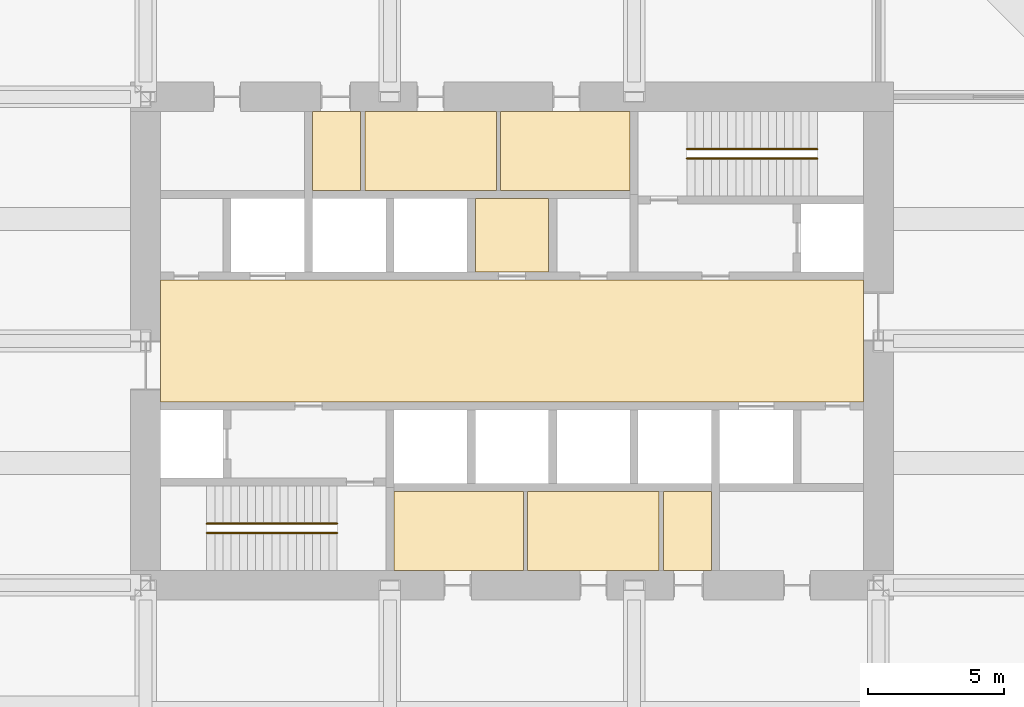
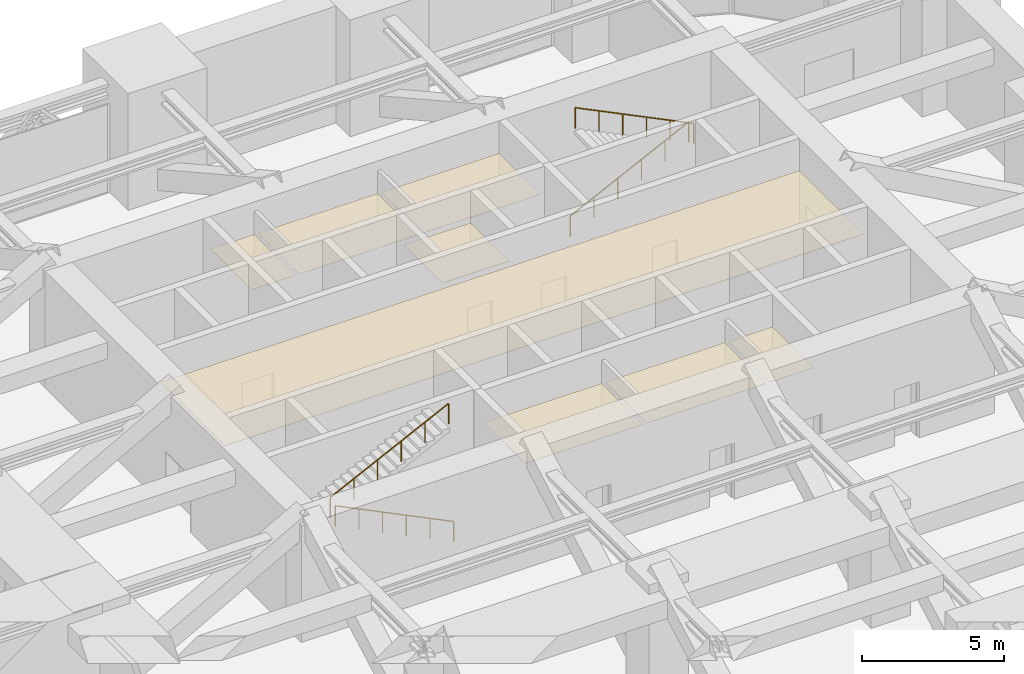
# One storey, part 32 of 32: 8 coverings, 4 railings.
"""IFC4 building model written with IfcOpenShell, lengths in metres."""

from ifc_helpers import new_model, si_unit, direction, frame, origin, origin_2d, place, context, subcontext, project, spatial, polyline, circle, outline, extrude, material, layer, layer_set, type_object, element, save


model = new_model("IFC4")

# Units and contexts
model_context = context("Model", 3, precision=1e-05, world=origin(), true_north=direction((0.0, 1.0)))
body_context = subcontext(model_context, "Body", "Model", "MODEL_VIEW")
ifc_project = project(units=[si_unit("LENGTHUNIT", "METRE"), si_unit("AREAUNIT", "SQUARE_METRE"), si_unit("VOLUMEUNIT", "CUBIC_METRE"), si_unit("PLANEANGLEUNIT", "RADIAN"), si_unit("MASSUNIT", "GRAM", prefix="KILO")], contexts=[model_context])

# Site, building, storey
site_placement = place(None, origin())
site = spatial("IfcSite", under=ifc_project, at=site_placement, CompositionType="ELEMENT")
building_placement = place(site_placement, origin())
building = spatial("IfcBuilding", under=site, at=building_placement, Name="Zorevar Civic Tower", CompositionType="ELEMENT")
storey_placement = place(building_placement, frame((0.0, 0.0, 234.39990234375)))
storey = spatial("IfcBuildingStorey", under=building, at=storey_placement, Name="L57", CompositionType="ELEMENT", Elevation=234.39990234375)

# Railings
ifc_material_1 = material(Name="Black steel handrail", Category="steel")
railing_type = type_object("IfcRailingType", Name="Handrail HR1 900", PredefinedType="HANDRAIL", material=ifc_material_1)
railing_1_placement = place(storey_placement, frame((25.050048828125, 19.925048828125, 0.147216796875)))
element("IfcRailing", 1, at=railing_1_placement, inside=storey, type_object=railing_type, Name="Handrail HR1 ST1 L57", PredefinedType="HANDRAIL", context=body_context, shape_type="SweptSolid", body=[
    extrude(circle(Radius=0.02392578125, at=origin_2d()), frame((0.0, 0.0, 0.8759765625), z_axis=(-0.89793417156, 0.0, 0.440129780343), x_axis=(0.0, -1.0, 0.0)), (0.0, 0.0, 1.0), 5.345703125),
    extrude(circle(Radius=0.02099609375, at=origin_2d()), origin(), (0.0, 0.0, 1.0), 0.851806640625),
    extrude(circle(Radius=0.02099609375, at=origin_2d()), frame((-0.9599609375, 0.0, 0.470458984375)), (0.0, 0.0, 1.0), 0.851806640625),
    extrude(circle(Radius=0.02099609375, at=origin_2d()), frame((-1.919921875, 0.0, 0.941162109375)), (0.0, 0.0, 1.0), 0.851806640625),
    extrude(circle(Radius=0.02099609375, at=origin_2d()), frame((-2.880126953125, 0.0, 1.41162109375)), (0.0, 0.0, 1.0), 0.851806640625),
    extrude(circle(Radius=0.02099609375, at=origin_2d()), frame((-3.840087890625, 0.0, 1.88232421875)), (0.0, 0.0, 1.0), 0.851806640625),
    extrude(circle(Radius=0.02099609375, at=origin_2d()), frame((-4.800048828125, 0.0, 2.352783203125)), (0.0, 0.0, 1.0), 0.851806640625),
])
for number, where, name in (
    (2, (20.25, 20.27490234375, 2.647216796875), "Handrail HR1 ST1 L57"),
    (3, (37.949951171875, 34.074951171875, 0.147216796875), "Handrail HR1 ST2 L57"),
):
    element("IfcRailing", number, at=place(storey_placement, frame(where)), inside=storey, type_object=railing_type, Name=name, PredefinedType="HANDRAIL", context=body_context, shape_type="SweptSolid", body=[
        extrude(circle(Radius=0.02392578125, at=origin_2d()), frame((0.0, 0.0, 0.8759765625), z_axis=(0.89793417156, 0.0, 0.440129780343), x_axis=(0.0, 1.0, 0.0)), (0.0, 0.0, 1.0), 5.345703125),
        extrude(circle(Radius=0.02099609375, at=origin_2d()), origin(), (0.0, 0.0, 1.0), 0.851806640625),
        extrude(circle(Radius=0.02099609375, at=origin_2d()), frame((0.9599609375, 0.0, 0.470458984375)), (0.0, 0.0, 1.0), 0.851806640625),
        extrude(circle(Radius=0.02099609375, at=origin_2d()), frame((1.919921875, 0.0, 0.941162109375)), (0.0, 0.0, 1.0), 0.851806640625),
        extrude(circle(Radius=0.02099609375, at=origin_2d()), frame((2.880126953125, 0.0, 1.41162109375)), (0.0, 0.0, 1.0), 0.851806640625),
        extrude(circle(Radius=0.02099609375, at=origin_2d()), frame((3.840087890625, 0.0, 1.88232421875)), (0.0, 0.0, 1.0), 0.851806640625),
        extrude(circle(Radius=0.02099609375, at=origin_2d()), frame((4.800048828125, 0.0, 2.352783203125)), (0.0, 0.0, 1.0), 0.851806640625),
    ])
railing_2_placement = place(storey_placement, frame((42.75, 33.72509765625, 2.647216796875)))
element("IfcRailing", 4, at=railing_2_placement, inside=storey, type_object=railing_type, Name="Handrail HR1 ST2 L57", PredefinedType="HANDRAIL", context=body_context, shape_type="SweptSolid", body=[
    extrude(circle(Radius=0.02392578125, at=origin_2d()), frame((0.0, 0.0, 0.8759765625), z_axis=(-0.89793417156, 0.0, 0.440129780343), x_axis=(0.0, -1.0, 0.0)), (0.0, 0.0, 1.0), 5.345703125),
    extrude(circle(Radius=0.02099609375, at=origin_2d()), origin(), (0.0, 0.0, 1.0), 0.851806640625),
    extrude(circle(Radius=0.02099609375, at=origin_2d()), frame((-0.9599609375, 0.0, 0.470458984375)), (0.0, 0.0, 1.0), 0.851806640625),
    extrude(circle(Radius=0.02099609375, at=origin_2d()), frame((-1.919921875, 0.0, 0.941162109375)), (0.0, 0.0, 1.0), 0.851806640625),
    extrude(circle(Radius=0.02099609375, at=origin_2d()), frame((-2.880126953125, 0.0, 1.41162109375)), (0.0, 0.0, 1.0), 0.851806640625),
    extrude(circle(Radius=0.02099609375, at=origin_2d()), frame((-3.840087890625, 0.0, 1.88232421875)), (0.0, 0.0, 1.0), 0.851806640625),
    extrude(circle(Radius=0.02099609375, at=origin_2d()), frame((-4.800048828125, 0.0, 2.352783203125)), (0.0, 0.0, 1.0), 0.851806640625),
])

# Coverings
ifc_material_2 = material(Name="Moisture-resistant gypsum board")
ifc_layer_1 = layer(ifc_material_2, 0.012451171875)
ifc_layer_set_1 = layer_set([ifc_layer_1], Name="Moisture-resistant ceiling SC3")
covering_type_1 = type_object("IfcCoveringType", Name="Moisture-resistant ceiling SC3", PredefinedType="CEILING", material=ifc_layer_set_1)
covering_1_placement = place(storey_placement, frame((0.0, 0.0, 3.60009765625)))
element("IfcCovering", 5, at=covering_1_placement, inside=storey, type_object=covering_type_1, Name="Ceiling L57-05", PredefinedType="CEILING", context=body_context, shape_type="SweptSolid", body=[
    extrude(outline(polyline([(31.925048828125, 18.550048828125), (31.925048828125, 21.449951171875), (27.14990234375, 21.449951171875), (27.14990234375, 18.550048828125), (31.925048828125, 18.550048828125)])), origin(), (0.0, 0.0, 1.0), 0.012451171875),
])
covering_2_placement = place(storey_placement, frame((0.0, 0.0, 3.60009765625)))
element("IfcCovering", 6, at=covering_2_placement, inside=storey, type_object=covering_type_1, Name="Ceiling L57-06", PredefinedType="CEILING", context=body_context, shape_type="SweptSolid", body=[
    extrude(outline(polyline([(35.85009765625, 32.550048828125), (35.85009765625, 35.449951171875), (31.074951171875, 35.449951171875), (31.074951171875, 32.550048828125), (35.85009765625, 32.550048828125)])), origin(), (0.0, 0.0, 1.0), 0.012451171875),
])
covering_3_placement = place(storey_placement, frame((0.0, 0.0, 3.60009765625)))
element("IfcCovering", 7, at=covering_3_placement, inside=storey, type_object=covering_type_1, Name="Ceiling L57-07", PredefinedType="CEILING", context=body_context, shape_type="SweptSolid", body=[
    extrude(outline(polyline([(36.925048828125, 18.550048828125), (36.925048828125, 21.449951171875), (32.074951171875, 21.449951171875), (32.074951171875, 18.550048828125), (36.925048828125, 18.550048828125)])), origin(), (0.0, 0.0, 1.0), 0.012451171875),
])
covering_4_placement = place(storey_placement, frame((0.0, 0.0, 3.60009765625)))
element("IfcCovering", 8, at=covering_4_placement, inside=storey, type_object=covering_type_1, Name="Ceiling L57-08", PredefinedType="CEILING", context=body_context, shape_type="SweptSolid", body=[
    extrude(outline(polyline([(30.925048828125, 32.550048828125), (30.925048828125, 35.449951171875), (26.074951171875, 35.449951171875), (26.074951171875, 32.550048828125), (30.925048828125, 32.550048828125)])), origin(), (0.0, 0.0, 1.0), 0.012451171875),
])
covering_5_placement = place(storey_placement, frame((0.0, 0.0, 3.60009765625)))
element("IfcCovering", 9, at=covering_5_placement, inside=storey, type_object=covering_type_1, Name="Ceiling L57-09", PredefinedType="CEILING", context=body_context, shape_type="SweptSolid", body=[
    extrude(outline(polyline([(38.85009765625, 18.550048828125), (38.85009765625, 21.449951171875), (37.074951171875, 21.449951171875), (37.074951171875, 18.550048828125), (38.85009765625, 18.550048828125)])), origin(), (0.0, 0.0, 1.0), 0.012451171875),
])
covering_6_placement = place(storey_placement, frame((0.0, 0.0, 3.60009765625)))
element("IfcCovering", 10, at=covering_6_placement, inside=storey, type_object=covering_type_1, Name="Ceiling L57-10", PredefinedType="CEILING", context=body_context, shape_type="SweptSolid", body=[
    extrude(outline(polyline([(25.925048828125, 32.550048828125), (25.925048828125, 35.449951171875), (24.14990234375, 35.449951171875), (24.14990234375, 32.550048828125), (25.925048828125, 32.550048828125)])), origin(), (0.0, 0.0, 1.0), 0.012451171875),
])
ifc_material_3 = material(Name="Mineral fibre tiles on a concealed grid")
ifc_layer_2 = layer(ifc_material_3, 0.02001953125)
ifc_layer_set_2 = layer_set([ifc_layer_2], Name="Suspended ceiling SC1")
covering_type_2 = type_object("IfcCoveringType", Name="Suspended ceiling SC1", PredefinedType="CEILING", material=ifc_layer_set_2)
covering_7_placement = place(storey_placement, frame((0.0, 0.0, 3.60009765625)))
element("IfcCovering", 11, at=covering_7_placement, inside=storey, type_object=covering_type_2, Name="Ceiling L57-15", PredefinedType="CEILING", context=body_context, shape_type="SweptSolid", body=[
    extrude(outline(polyline([(44.449951171875, 24.75), (44.449951171875, 29.25), (18.550048828125, 29.25), (18.550048828125, 24.75), (44.449951171875, 24.75)])), origin(), (0.0, 0.0, 1.0), 0.02001953125),
])
covering_8_placement = place(storey_placement, frame((0.0, 0.0, 3.60009765625)))
element("IfcCovering", 12, at=covering_8_placement, inside=storey, type_object=covering_type_2, Name="Ceiling L57-17", PredefinedType="CEILING", context=body_context, shape_type="SweptSolid", body=[
    extrude(outline(polyline([(32.85009765625, 29.550048828125), (32.85009765625, 32.25), (30.14990234375, 32.25), (30.14990234375, 29.550048828125), (32.85009765625, 29.550048828125)])), origin(), (0.0, 0.0, 1.0), 0.02001953125),
])

save(model, "model.ifc")
